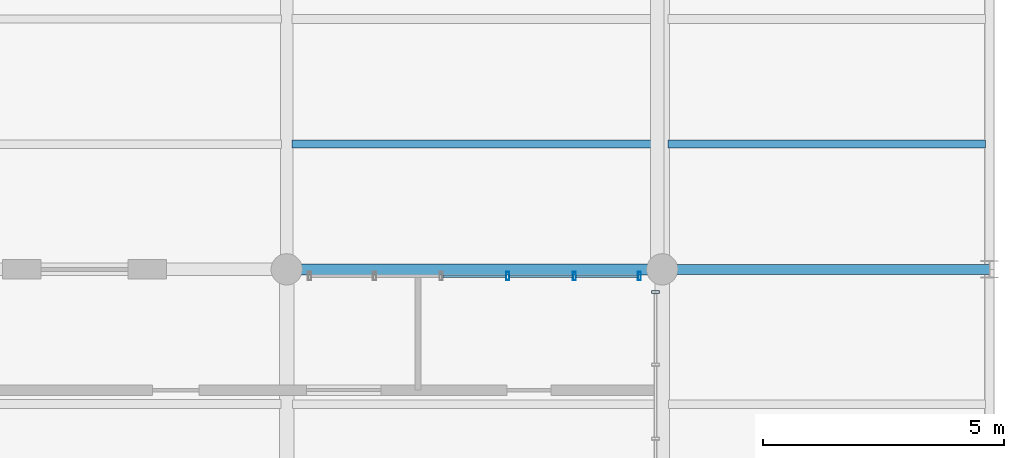
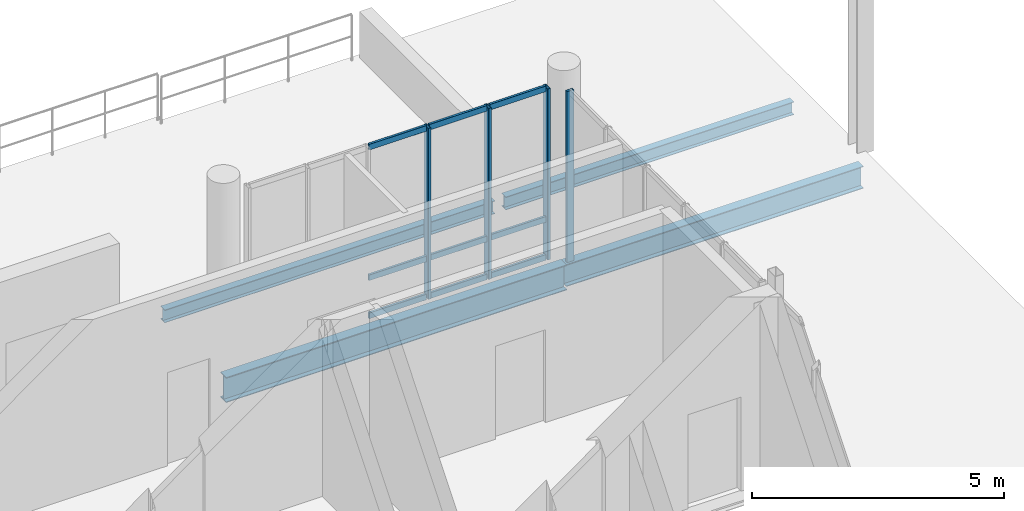
# One storey, part 47 of 66: 13 members, 4 beams, 2 elements without a shape of their own.
"""IFC4 building model written with IfcOpenShell, lengths in metres."""

from ifc_helpers import new_model, si_unit, direction, frame, origin_with_axes, origin_2d_with_axis, place, context, subcontext, project, spatial, hollow_rectangle, i_section, extrude, material, material_profile, profile_set, type_object, element, aggregate, save


model = new_model("IFC4")

# Units and contexts
model_context = context("Model", 3, precision=1e-05, world=origin_with_axes(), true_north=direction((0.0, 1.0)))
body_context = subcontext(model_context, "Body", "Model", "MODEL_VIEW")
ifc_project = project(units=[si_unit("LENGTHUNIT", "METRE"), si_unit("AREAUNIT", "SQUARE_METRE"), si_unit("VOLUMEUNIT", "CUBIC_METRE"), si_unit("PLANEANGLEUNIT", "RADIAN"), si_unit("MASSUNIT", "GRAM", prefix="KILO"), si_unit("THERMODYNAMICTEMPERATUREUNIT", "KELVIN")], contexts=[model_context])

# Site, building, storey
site_placement = place(None, origin_with_axes())
site = spatial("IfcSite", under=ifc_project, at=site_placement, CompositionType="ELEMENT")
building_placement = place(site_placement, origin_with_axes())
building = spatial("IfcBuilding", under=site, at=building_placement, Name="Montbau Bow Law Courts", CompositionType="ELEMENT")
storey_placement = place(building_placement, frame((0.0, 0.0, 34.5), z_axis=(0.0, 0.0, 1.0), x_axis=(1.0, 0.0, 0.0)))
storey = spatial("IfcBuildingStorey", under=building, at=storey_placement, Name="L07", CompositionType="ELEMENT", Elevation=34.5)

# Beams
ifc_material_1 = material(Name="Steel CSA G40.21 Grade 350W (350 MPa)", Category="steel")
ifc_material_profile_1 = material_profile(ifc_material_1, i_section(OverallWidth=0.229, OverallDepth=0.612, WebThickness=0.0119, FlangeThickness=0.0196, at=origin_2d_with_axis()), Name="W610X125", Category="Main", Priority=0)
ifc_profile_set_1 = profile_set([ifc_material_profile_1], Name="Steel CSA G40.21 Grade 350W (350 MPa)")
beam_type_1 = type_object("IfcBeamType", Name="B-FLR-05", PredefinedType="BEAM", material=ifc_profile_set_1)
beam_1_placement = place(None, frame((154.8, 103.2, 33.834), z_axis=(1.0, 0.0, 0.0), x_axis=(0.0, 1.0, 0.0)))
element("IfcBeam", 1, at=beam_1_placement, inside=storey, type_object=beam_type_1, Name="BM-L07-S1352:bm2_1355", PredefinedType="BEAM", context=body_context, shape_type="SweptSolid", body=[
    extrude(i_section(OverallWidth=0.229, OverallDepth=0.612, WebThickness=0.0119, FlangeThickness=0.0196, at=origin_2d_with_axis()), origin_with_axes(), (0.0, 0.0, 1.0), 7.8),
])
ifc_material_profile_2 = material_profile(ifc_material_1, i_section(OverallWidth=0.21, OverallDepth=0.537, WebThickness=0.0109, FlangeThickness=0.0174, at=origin_2d_with_axis()), Name="W530X101", Category="Main", Priority=0)
ifc_profile_set_2 = profile_set([ifc_material_profile_2], Name="Steel CSA G40.21 Grade 350W (350 MPa)")
beam_type_2 = type_object("IfcBeamType", Name="B-FLR-06", PredefinedType="BEAM", material=ifc_profile_set_2)
beam_2_placement = place(None, frame((162.6, 103.2, 33.871), z_axis=(1.0, 0.0, 0.0), x_axis=(0.0, 1.0, 0.0)))
element("IfcBeam", 2, at=beam_2_placement, inside=storey, type_object=beam_type_2, Name="BM-L07-S1353:bm2_1356", PredefinedType="BEAM", context=body_context, shape_type="SweptSolid", body=[
    extrude(i_section(OverallWidth=0.21, OverallDepth=0.537, WebThickness=0.0109, FlangeThickness=0.0174, at=origin_2d_with_axis()), origin_with_axes(), (0.0, 0.0, 1.0), 6.8),
])
ifc_material_profile_3 = material_profile(ifc_material_1, i_section(OverallWidth=0.166, OverallDepth=0.313, WebThickness=0.0066, FlangeThickness=0.0112, at=origin_2d_with_axis()), Name="W310X45", Category="Main", Priority=0)
ifc_profile_set_3 = profile_set([ifc_material_profile_3], Name="Steel CSA G40.21 Grade 350W (350 MPa)")
beam_type_3 = type_object("IfcBeamType", Name="B-JST-04", PredefinedType="JOIST", material=ifc_profile_set_3)
beam_3_placement = place(None, frame((154.91, 105.8, 33.983), z_axis=(1.0, 0.0, 0.0), x_axis=(0.0, 1.0, 0.0)))
element("IfcBeam", 3, at=beam_3_placement, inside=storey, type_object=beam_type_3, Name="JST-L07-S0755:jst2_0755", PredefinedType="JOIST", context=body_context, shape_type="SweptSolid", body=[
    extrude(i_section(OverallWidth=0.166, OverallDepth=0.313, WebThickness=0.0066, FlangeThickness=0.0112, at=origin_2d_with_axis()), origin_with_axes(), (0.0, 0.0, 1.0), 7.567),
])
beam_4_placement = place(None, frame((162.722, 105.8, 33.983), z_axis=(1.0, 0.0, 0.0), x_axis=(0.0, 1.0, 0.0)))
element("IfcBeam", 4, at=beam_4_placement, inside=storey, type_object=beam_type_3, Name="JST-L07-S0763:jst2_0763", PredefinedType="JOIST", context=body_context, shape_type="SweptSolid", body=[
    extrude(i_section(OverallWidth=0.166, OverallDepth=0.313, WebThickness=0.0066, FlangeThickness=0.0112, at=origin_2d_with_axis()), origin_with_axes(), (0.0, 0.0, 1.0), 6.598),
])

# Curtain wall, members
ifc_material_2 = material(Name="Thermally Broken Extruded Aluminium AA 6063-T6", Category="aluminium")
curtain_wall_type = type_object("IfcCurtainWallType", Name="CW-NCK-03", PredefinedType="NOTDEFINED", material=ifc_material_2)
curtain_wall_1_placement = place(None, frame((155.24, 103.06, 34.5), z_axis=(0.0, 0.0, 1.0), x_axis=(1.0, 0.0, 0.0)))
curtain_wall_1 = element("IfcCurtainWall", 5, at=curtain_wall_1_placement, inside=storey, type_object=curtain_wall_type, Name="CW-L07-367:cw_0367", PredefinedType="NOTDEFINED")
ifc_material_profile_4 = material_profile(ifc_material_2, hollow_rectangle(XDim=0.065, YDim=0.18, WallThickness=0.005, InnerFilletRadius=0.01, OuterFilletRadius=0.005, at=origin_2d_with_axis()), Name="CWM-180X65", Category="Main", Priority=0)
ifc_profile_set_4 = profile_set([ifc_material_profile_4], Name="Thermally Broken Extruded Aluminium AA 6063-T6")
member_type_1 = type_object("IfcMemberType", Name="M-MUL-02", PredefinedType="MULLION", material=ifc_profile_set_4)
member_1_placement = place(None, frame((159.392, 103.06, 34.5), z_axis=(0.0, 0.0, 1.0), x_axis=(1.0, 0.0, 0.0)))
member_1 = element("IfcMember", 6, at=member_1_placement, type_object=member_type_1, Name="CW-L07-367-M04:cw_0367_M04", PredefinedType="MULLION", context=body_context, shape_type="SweptSolid", body=[
    extrude(hollow_rectangle(XDim=0.065, YDim=0.18, WallThickness=0.005, InnerFilletRadius=0.01, OuterFilletRadius=0.005, at=origin_2d_with_axis()), origin_with_axes(), (0.0, 0.0, 1.0), 4.14),
])
member_2_placement = place(None, frame((160.776, 103.06, 34.5), z_axis=(0.0, 0.0, 1.0), x_axis=(1.0, 0.0, 0.0)))
member_2 = element("IfcMember", 7, at=member_2_placement, type_object=member_type_1, Name="CW-L07-367-M05:cw_0367_M05", PredefinedType="MULLION", context=body_context, shape_type="SweptSolid", body=[
    extrude(hollow_rectangle(XDim=0.065, YDim=0.18, WallThickness=0.005, InnerFilletRadius=0.01, OuterFilletRadius=0.005, at=origin_2d_with_axis()), origin_with_axes(), (0.0, 0.0, 1.0), 4.14),
])
member_3_placement = place(None, frame((162.127, 103.06, 34.5), z_axis=(0.0, 0.0, 1.0), x_axis=(1.0, 0.0, 0.0)))
member_3 = element("IfcMember", 8, at=member_3_placement, type_object=member_type_1, Name="CW-L07-367-M06:cw_0367_M06", PredefinedType="MULLION", context=body_context, shape_type="SweptSolid", body=[
    extrude(hollow_rectangle(XDim=0.065, YDim=0.18, WallThickness=0.005, InnerFilletRadius=0.01, OuterFilletRadius=0.005, at=origin_2d_with_axis()), origin_with_axes(), (0.0, 0.0, 1.0), 4.14),
])

# Curtain wall, member
curtain_wall_2_placement = place(None, frame((162.46, 95.067, 34.5), z_axis=(0.0, 0.0, 1.0), x_axis=(1.0, 0.0, 0.0)))
curtain_wall_2 = element("IfcCurtainWall", 9, at=curtain_wall_2_placement, inside=storey, type_object=curtain_wall_type, Name="CW-L07-371:cw_0371", PredefinedType="NOTDEFINED")
ifc_material_profile_5 = material_profile(ifc_material_2, hollow_rectangle(XDim=0.06, YDim=0.16, WallThickness=0.004, InnerFilletRadius=0.008, OuterFilletRadius=0.004, at=origin_2d_with_axis()), Name="CWM-160X60", Category="Main", Priority=0)
ifc_profile_set_5 = profile_set([ifc_material_profile_5], Name="Thermally Broken Extruded Aluminium AA 6063-T6")
member_type_2 = type_object("IfcMemberType", Name="M-MUL-03", PredefinedType="MULLION", material=ifc_profile_set_5)
member_4_placement = place(None, frame((162.46, 102.73, 34.5), z_axis=(0.0, 0.0, 1.0), x_axis=(0.0, 1.0, 0.0)))
member_4 = element("IfcMember", 10, at=member_4_placement, type_object=member_type_2, Name="CW-L07-371-M06:cw_0371_M06", PredefinedType="MULLION", context=body_context, shape_type="SweptSolid", body=[
    extrude(hollow_rectangle(XDim=0.06, YDim=0.16, WallThickness=0.004, InnerFilletRadius=0.008, OuterFilletRadius=0.004, at=origin_2d_with_axis()), origin_with_axes(), (0.0, 0.0, 1.0), 4.14),
])
aggregate(curtain_wall_2, [member_4])

# Member
ifc_material_profile_6 = material_profile(ifc_material_2, hollow_rectangle(XDim=0.055, YDim=0.14, WallThickness=0.004, InnerFilletRadius=0.008, OuterFilletRadius=0.004, at=origin_2d_with_axis()), Name="CWT-140X55", Category="Main", Priority=0)
ifc_profile_set_6 = profile_set([ifc_material_profile_6], Name="Thermally Broken Extruded Aluminium AA 6063-T6")
member_type_3 = type_object("IfcMemberType", Name="M-TRN-02", PredefinedType="USERDEFINED", material=ifc_profile_set_6)
member_5_placement = place(None, frame((158.042, 103.06, 34.528), z_axis=(1.0, 0.0, 0.0), x_axis=(0.0, 1.0, 0.0)))
member_5 = element("IfcMember", 11, at=member_5_placement, type_object=member_type_3, Name="CW-L07-367-T03-1:cw_0367_T03_1", ObjectType="TRANSOM", PredefinedType="USERDEFINED", context=body_context, shape_type="SweptSolid", body=[
    extrude(hollow_rectangle(XDim=0.055, YDim=0.14, WallThickness=0.004, InnerFilletRadius=0.008, OuterFilletRadius=0.004, at=origin_2d_with_axis()), origin_with_axes(), (0.0, 0.0, 1.0), 1.316),
])

member_6_placement = place(None, frame((158.042, 103.06, 35.45), z_axis=(1.0, 0.0, 0.0), x_axis=(0.0, 1.0, 0.0)))
member_6 = element("IfcMember", 12, at=member_6_placement, type_object=member_type_3, Name="CW-L07-367-T03-2:cw_0367_T03_2", ObjectType="TRANSOM", PredefinedType="USERDEFINED", context=body_context, shape_type="SweptSolid", body=[
    extrude(hollow_rectangle(XDim=0.055, YDim=0.14, WallThickness=0.004, InnerFilletRadius=0.008, OuterFilletRadius=0.004, at=origin_2d_with_axis()), origin_with_axes(), (0.0, 0.0, 1.0), 1.316),
])

member_7_placement = place(None, frame((158.042, 103.06, 38.612), z_axis=(1.0, 0.0, 0.0), x_axis=(0.0, 1.0, 0.0)))
member_7 = element("IfcMember", 13, at=member_7_placement, type_object=member_type_3, Name="CW-L07-367-T03-3:cw_0367_T03_3", ObjectType="TRANSOM", PredefinedType="USERDEFINED", context=body_context, shape_type="SweptSolid", body=[
    extrude(hollow_rectangle(XDim=0.055, YDim=0.14, WallThickness=0.004, InnerFilletRadius=0.008, OuterFilletRadius=0.004, at=origin_2d_with_axis()), origin_with_axes(), (0.0, 0.0, 1.0), 1.316),
])

member_8_placement = place(None, frame((159.426, 103.06, 34.528), z_axis=(1.0, 0.0, 0.0), x_axis=(0.0, 1.0, 0.0)))
member_8 = element("IfcMember", 14, at=member_8_placement, type_object=member_type_3, Name="CW-L07-367-T04-1:cw_0367_T04_1", ObjectType="TRANSOM", PredefinedType="USERDEFINED", context=body_context, shape_type="SweptSolid", body=[
    extrude(hollow_rectangle(XDim=0.055, YDim=0.14, WallThickness=0.004, InnerFilletRadius=0.008, OuterFilletRadius=0.004, at=origin_2d_with_axis()), origin_with_axes(), (0.0, 0.0, 1.0), 1.316),
])

member_9_placement = place(None, frame((159.426, 103.06, 35.45), z_axis=(1.0, 0.0, 0.0), x_axis=(0.0, 1.0, 0.0)))
member_9 = element("IfcMember", 15, at=member_9_placement, type_object=member_type_3, Name="CW-L07-367-T04-2:cw_0367_T04_2", ObjectType="TRANSOM", PredefinedType="USERDEFINED", context=body_context, shape_type="SweptSolid", body=[
    extrude(hollow_rectangle(XDim=0.055, YDim=0.14, WallThickness=0.004, InnerFilletRadius=0.008, OuterFilletRadius=0.004, at=origin_2d_with_axis()), origin_with_axes(), (0.0, 0.0, 1.0), 1.316),
])

member_10_placement = place(None, frame((159.426, 103.06, 38.612), z_axis=(1.0, 0.0, 0.0), x_axis=(0.0, 1.0, 0.0)))
member_10 = element("IfcMember", 16, at=member_10_placement, type_object=member_type_3, Name="CW-L07-367-T04-3:cw_0367_T04_3", ObjectType="TRANSOM", PredefinedType="USERDEFINED", context=body_context, shape_type="SweptSolid", body=[
    extrude(hollow_rectangle(XDim=0.055, YDim=0.14, WallThickness=0.004, InnerFilletRadius=0.008, OuterFilletRadius=0.004, at=origin_2d_with_axis()), origin_with_axes(), (0.0, 0.0, 1.0), 1.316),
])

member_11_placement = place(None, frame((160.81, 103.06, 34.528), z_axis=(1.0, 0.0, 0.0), x_axis=(0.0, 1.0, 0.0)))
member_11 = element("IfcMember", 17, at=member_11_placement, type_object=member_type_3, Name="CW-L07-367-T05-1:cw_0367_T05_1", ObjectType="TRANSOM", PredefinedType="USERDEFINED", context=body_context, shape_type="SweptSolid", body=[
    extrude(hollow_rectangle(XDim=0.055, YDim=0.14, WallThickness=0.004, InnerFilletRadius=0.008, OuterFilletRadius=0.004, at=origin_2d_with_axis()), origin_with_axes(), (0.0, 0.0, 1.0), 1.283),
])

member_12_placement = place(None, frame((160.81, 103.06, 35.45), z_axis=(1.0, 0.0, 0.0), x_axis=(0.0, 1.0, 0.0)))
member_12 = element("IfcMember", 18, at=member_12_placement, type_object=member_type_3, Name="CW-L07-367-T05-2:cw_0367_T05_2", ObjectType="TRANSOM", PredefinedType="USERDEFINED", context=body_context, shape_type="SweptSolid", body=[
    extrude(hollow_rectangle(XDim=0.055, YDim=0.14, WallThickness=0.004, InnerFilletRadius=0.008, OuterFilletRadius=0.004, at=origin_2d_with_axis()), origin_with_axes(), (0.0, 0.0, 1.0), 1.283),
])

member_13_placement = place(None, frame((160.81, 103.06, 38.612), z_axis=(1.0, 0.0, 0.0), x_axis=(0.0, 1.0, 0.0)))
member_13 = element("IfcMember", 19, at=member_13_placement, type_object=member_type_3, Name="CW-L07-367-T05-3:cw_0367_T05_3", ObjectType="TRANSOM", PredefinedType="USERDEFINED", context=body_context, shape_type="SweptSolid", body=[
    extrude(hollow_rectangle(XDim=0.055, YDim=0.14, WallThickness=0.004, InnerFilletRadius=0.008, OuterFilletRadius=0.004, at=origin_2d_with_axis()), origin_with_axes(), (0.0, 0.0, 1.0), 1.283),
])

aggregate(curtain_wall_1, [member_1, member_2, member_3, member_5, member_6, member_7, member_8, member_9, member_10, member_11, member_12, member_13])

save(model, "model.ifc")
